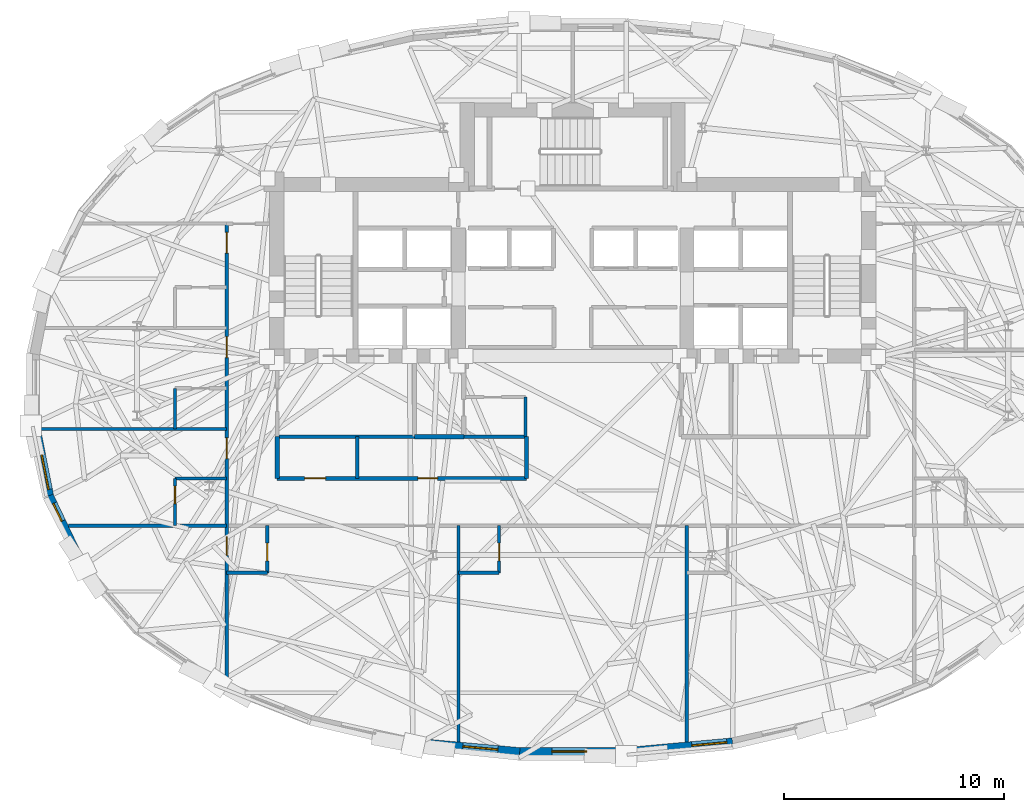
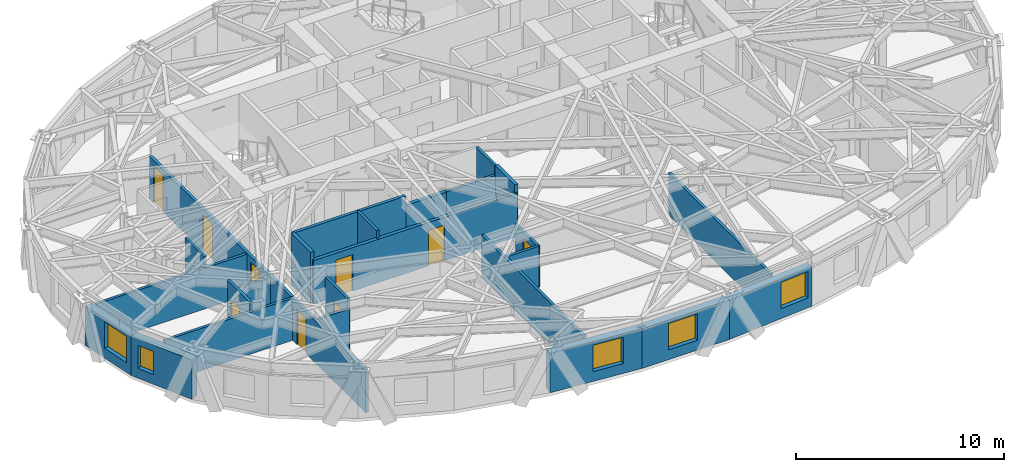
# One storey, part 6 of 14: 25 walls, 9 doors, 5 windows, 14 openings.
"""IFC4 building model written with IfcOpenShell, lengths in metres."""

import ifcopenshell
import ifcopenshell.guid

model = None  # the IFC model being written
_history = None  # IfcOwnerHistory: only IFC2X3 demands one
_inside = {}  # id of a spatial element -> (the spatial element, [elements in it])
_under = {}  # id of a project, library or spatial element -> (it, [spatial elements below it])
_declared = {}  # id of a project -> (the project, [libraries it declares])
_typed = {}  # id of a type object -> (the type object, [elements of that type])
_made_of = {}  # id of a material, layer set ... -> (it, [elements and type objects made of it])


def new_model(schema):
    """Start an empty IFC model of exactly this schema.

    Asked for "IFC4X3", IfcOpenShell would pick the latest addendum, in which some entities
    have other attributes; the version numbers below select the first issue.
    IFC2X3 requires an IfcOwnerHistory on every rooted entity: one is made here for all.
    """
    global model, _history
    if schema == "IFC4X3":
        model = ifcopenshell.file(schema_version=(4, 3, 0, 0))
    else:
        model = ifcopenshell.file(schema=schema)
    _inside.clear()
    _under.clear()
    _declared.clear()
    _typed.clear()
    _made_of.clear()
    _history = None
    if model.schema == "IFC2X3":
        org = make("IfcOrganization", Name="unknown")
        user = make(
            "IfcPersonAndOrganization",
            ThePerson=make("IfcPerson", FamilyName="unknown"),
            TheOrganization=org,
        )
        app = make(
            "IfcApplication",
            ApplicationDeveloper=org,
            Version="unknown",
            ApplicationFullName="unknown",
            ApplicationIdentifier="unknown",
        )
        _history = make(
            "IfcOwnerHistory",
            OwningUser=user,
            OwningApplication=app,
            ChangeAction="ADDED",
            CreationDate=0,
        )
    return model


def make(cls, **values):
    """One entity of the class cls with the attributes given. An attribute that is None is left unset."""
    return model.create_entity(
        cls, **{name: value for name, value in values.items() if value is not None}
    )


def rooted(cls, **values):
    """An entity with a GlobalId (a new one), such as an element, a storey or a relation."""
    return make(cls, GlobalId=ifcopenshell.guid.new(), OwnerHistory=_history, **values)


def si_unit(unit_type, name, prefix=None):
    """IfcSIUnit, for example si_unit("LENGTHUNIT", "METRE", prefix="MILLI")."""
    return make("IfcSIUnit", UnitType=unit_type, Prefix=prefix, Name=name)


def assignment(units):
    """IfcUnitAssignment: the units of a project."""
    return None if units is None else make("IfcUnitAssignment", Units=units)


def point(xyz):
    """IfcCartesianPoint."""
    return None if xyz is None else make("IfcCartesianPoint", Coordinates=xyz)


def direction(xyz):
    """IfcDirection."""
    return None if xyz is None else make("IfcDirection", DirectionRatios=xyz)


def frame(location, z_axis=None, x_axis=None):
    """IfcAxis2Placement3D, a coordinate frame: its origin and axes. An axis left out is left unset."""
    return make(
        "IfcAxis2Placement3D",
        Location=point(location),
        Axis=direction(z_axis),
        RefDirection=direction(x_axis),
    )


def frame_2d(location, x_axis=None):
    """IfcAxis2Placement2D, a coordinate frame in the plane: its origin and x axis."""
    return make(
        "IfcAxis2Placement2D", Location=point(location), RefDirection=direction(x_axis)
    )


def origin():
    """The frame at (0, 0, 0) with its axes left unset."""
    return frame((0.0, 0.0, 0.0))


def place(relative_to, where):
    """IfcLocalPlacement: puts the frame where relative to a parent placement (None: the world)."""
    return make(
        "IfcLocalPlacement", PlacementRelTo=relative_to, RelativePlacement=where
    )


def context(
    kind, dimensions, precision=None, world=None, true_north=None, identifier=None
):
    """IfcGeometricRepresentationContext, for example the 3D "Model" context."""
    return make(
        "IfcGeometricRepresentationContext",
        ContextIdentifier=identifier,
        ContextType=kind,
        CoordinateSpaceDimension=dimensions,
        Precision=precision,
        WorldCoordinateSystem=world,
        TrueNorth=true_north,
    )


def subcontext(parent, identifier, kind, view, scale=None):
    """IfcGeometricRepresentationSubContext, for example "Body" below "Model"."""
    return make(
        "IfcGeometricRepresentationSubContext",
        ContextIdentifier=identifier,
        ContextType=kind,
        ParentContext=parent,
        TargetScale=scale,
        TargetView=view,
    )


def project(units=None, contexts=None):
    """IfcProject with its units and contexts."""
    return rooted(
        "IfcProject",
        Name="project",
        RepresentationContexts=contexts,
        UnitsInContext=assignment(units),
    )


def spatial(cls, under=None, at=None, **own):
    """A site, building, storey or space (cls), placed at a placement, below another one or the project."""
    s = rooted(cls, ObjectPlacement=at, **own)
    if under is not None:
        _under.setdefault(under.id(), (under, []))[1].append(s)
    return s


def profile(cls, at=None, kind="AREA", **sizes):
    """A parametric profile (cls). Its sizes go by their IFC names, for example OverallWidth=200.0."""
    return make(cls, ProfileType=kind, Position=at, **sizes)


def rectangle(**sizes):
    """IfcRectangleProfileDef."""
    return profile("IfcRectangleProfileDef", **sizes)


def extrude(swept, where, along, depth):
    """IfcExtrudedAreaSolid: the profile swept, set in the frame where, extruded along a direction by depth."""
    return make(
        "IfcExtrudedAreaSolid",
        SweptArea=swept,
        Position=where,
        ExtrudedDirection=direction(along),
        Depth=depth,
    )


def shape(context_of_items, identifier, shape_type, items):
    """IfcShapeRepresentation: the items that make up one representation, for example the "Body"."""
    return make(
        "IfcShapeRepresentation",
        ContextOfItems=context_of_items,
        RepresentationIdentifier=identifier,
        RepresentationType=shape_type,
        Items=items,
    )


def material(Name=None, Category=None):
    """IfcMaterial."""
    return make("IfcMaterial", Name=Name, Category=Category)


def layer(
    of_material, thickness, ventilated=None, Name=None, Category=None, Priority=None
):
    """IfcMaterialLayer: one layer of a wall or slab, of a material (None: an air gap)."""
    return make(
        "IfcMaterialLayer",
        Material=of_material,
        LayerThickness=thickness,
        IsVentilated=ventilated,
        Name=Name,
        Category=Category,
        Priority=Priority,
    )


def layer_set(layers, Name=None):
    """IfcMaterialLayerSet."""
    return make("IfcMaterialLayerSet", MaterialLayers=layers, LayerSetName=Name)


def made_of(thing, what):
    """Note that an element or type object is made of a material, layer set ...; save() writes the relation."""
    if what is not None:
        _made_of.setdefault(what.id(), (what, []))[1].append(thing)
    return thing


def type_object(cls, material=None, **own):
    """A type object (cls), such as IfcWallType, which elements share."""
    return made_of(rooted(cls, **own), material)


def element(
    cls,
    number,
    at=None,
    inside=None,
    cuts=None,
    type_object=None,
    material=None,
    context=None,
    identifier="Body",
    shape_type=None,
    held_by="IfcProductDefinitionShape",
    body=None,
    shapes=None,
    **own,
):
    """One element of the class cls, such as IfcWall. Its Tag is "e" and its number.

    at: its placement. inside: the storey or other place that contains it. cuts: it is an
    opening in that element (IfcRelVoidsElement). A single representation is given by context,
    identifier, shape_type and body (its items); several are given by shapes. held_by: the class
    of the entity that holds the representations. save() writes the other relations.
    """
    e = rooted(cls, Tag="e%d" % number, ObjectPlacement=at, **own)
    if body is not None:
        shapes = [shape(context, identifier, shape_type, body)]
    if shapes is not None:
        e.Representation = make(held_by, Representations=shapes)
    if inside is not None:
        _inside.setdefault(inside.id(), (inside, []))[1].append(e)
    if cuts is not None:
        rooted(
            "IfcRelVoidsElement", RelatingBuildingElement=cuts, RelatedOpeningElement=e
        )
    if type_object is not None:
        _typed.setdefault(type_object.id(), (type_object, []))[1].append(e)
    return made_of(e, material)


def fill(opening, filler):
    """IfcRelFillsElement: the door or window that sits in an opening."""
    return rooted(
        "IfcRelFillsElement",
        RelatingOpeningElement=opening,
        RelatedBuildingElement=filler,
    )


def aggregate(whole, parts):
    """IfcRelAggregates: a whole, such as a stair, and the parts it consists of."""
    return rooted("IfcRelAggregates", RelatingObject=whole, RelatedObjects=parts)


def save(model, path):
    """Write the relations noted so far, then the file.

    IfcRelAggregates (storeys below a building ...), IfcRelContainedInSpatialStructure (elements
    in a storey), IfcRelDefinesByType, IfcRelAssociatesMaterial and IfcRelDeclares: one each for
    every whole, place, type object, material and project.
    """
    for whole, parts in _under.values():
        aggregate(whole, parts)
    for where, things in _inside.values():
        rooted(
            "IfcRelContainedInSpatialStructure",
            RelatedElements=things,
            RelatingStructure=where,
        )
    for kind, things in _typed.values():
        rooted("IfcRelDefinesByType", RelatedObjects=things, RelatingType=kind)
    for what, things in _made_of.values():
        rooted("IfcRelAssociatesMaterial", RelatedObjects=things, RelatingMaterial=what)
    for by, libraries in _declared.values():
        rooted("IfcRelDeclares", RelatingContext=by, RelatedDefinitions=libraries)
    model.write(path)


model = new_model("IFC4")

# Units and contexts
model_context = context("Model", 3, precision=1e-05, world=origin(), true_north=direction((0.0, 1.0)))
body_context = subcontext(model_context, "Body", "Model", "MODEL_VIEW")
ifc_project = project(units=[si_unit("LENGTHUNIT", "METRE"), si_unit("AREAUNIT", "SQUARE_METRE"), si_unit("VOLUMEUNIT", "CUBIC_METRE"), si_unit("PLANEANGLEUNIT", "RADIAN"), si_unit("MASSUNIT", "GRAM", prefix="KILO")], contexts=[model_context])

# Site, building, storey
site_placement = place(None, origin())
site = spatial("IfcSite", under=ifc_project, at=site_placement, CompositionType="ELEMENT")
building_placement = place(site_placement, origin())
building = spatial("IfcBuilding", under=site, at=building_placement, Name="Keldmark Tower", CompositionType="ELEMENT")
storey_placement = place(building_placement, frame((0.0, 0.0, 153.39990234375)))
storey = spatial("IfcBuildingStorey", under=building, at=storey_placement, Name="L41", CompositionType="ELEMENT", Elevation=153.39990234375)

# Wall, openings, doors
ifc_material_1 = material(Name="Heavy Acoustic Plumbing Chase Gypsum Assembly", Category="gypsum")
ifc_layer_1 = layer(ifc_material_1, 0.18994140625)
ifc_layer_set_1 = layer_set([ifc_layer_1], Name="Heavy Acoustic Plumbing Chase Gypsum Assembly")
wall_type_1 = type_object("IfcWallType", Name="Heavy Wet Wall 190 mm", PredefinedType="PLUMBINGWALL", material=ifc_layer_set_1)
wall_1_placement = place(storey_placement, frame((-13.449951171875, -4.050048828125, 0.0), z_axis=(0.0, 0.0, 1.0), x_axis=(1.0, 0.0, 0.0)))
wall_1 = element("IfcWall", 1, at=wall_1_placement, inside=storey, type_object=wall_type_1, Name="L41 Heavy Wet Wall 190 mm SPK-W-S", PredefinedType="PLUMBINGWALL", context=body_context, shape_type="SweptSolid", body=[
    extrude(rectangle(XDim=11.349853515625, YDim=0.18994140625, at=frame_2d((5.6748046875, 0.0))), origin(), (0.0, 0.0, 1.0), 2.55517578125),
])
opening_1_placement = place(wall_1_placement, frame((1.25, 0.0, 0.0)))
opening_1 = element("IfcOpeningElement", 2, at=opening_1_placement, cuts=wall_1, Name="Opening D-AWC95", PredefinedType="OPENING", context=body_context, shape_type="SweptSolid", body=[
    extrude(rectangle(XDim=0.949951171875, YDim=2.14990234375, at=frame_2d((0.47509765625, 1.074951171875))), frame((0.0, 0.10498046875, 0.0), z_axis=(0.0, -1.0, 0.0), x_axis=(1.0, 0.0, 0.0)), (0.0, 0.0, 1.0), 0.2099609375),
])
opening_2_placement = place(wall_1_placement, frame((6.39990234375, 0.0, 0.0)))
opening_2 = element("IfcOpeningElement", 3, at=opening_2_placement, cuts=wall_1, Name="Opening D-IN090", PredefinedType="OPENING", context=body_context, shape_type="SweptSolid", body=[
    extrude(rectangle(XDim=0.89990234375, YDim=2.10009765625, at=frame_2d((0.449951171875, 1.050048828125))), frame((0.0, 0.10498046875, 0.0), z_axis=(0.0, -1.0, 0.0), x_axis=(1.0, 0.0, 0.0)), (0.0, 0.0, 1.0), 0.2099609375),
])
ifc_material_2 = material(Name="Painted Solid-Core Architectural Wood", Category="wood")
door_type_1 = type_object("IfcDoorType", Name="Accessible WC Door 950x2150", OperationType="NOTDEFINED", PredefinedType="DOOR", material=ifc_material_2)
door_1_placement = place(opening_1_placement, origin())
door_1 = element("IfcDoor", 4, at=door_1_placement, inside=storey, type_object=door_type_1, Name="L41 Accessible WC Door 950x2150 D-SPKW1-L41", OperationType="SINGLE_SWING_LEFT", OverallHeight=2.14990234375, OverallWidth=0.949951171875, PredefinedType="DOOR", context=body_context, shape_type="SweptSolid", body=[
    extrude(rectangle(XDim=0.949951171875, YDim=2.14990234375, at=frame_2d((0.47509765625, 1.074951171875))), frame((0.0, 0.02490234375, 0.0), z_axis=(0.0, -1.0, 0.0), x_axis=(1.0, 0.0, 0.0)), (0.0, 0.0, 1.0), 0.050048828125),
])
fill(opening_1, door_1)
ifc_material_3 = material(Name="Stained American White Oak Veneer", Category="wood")
door_type_2 = type_object("IfcDoorType", Name="Interior Door 900x2100", OperationType="NOTDEFINED", PredefinedType="DOOR", material=ifc_material_3)
door_2_placement = place(opening_2_placement, origin())
door_2 = element("IfcDoor", 5, at=door_2_placement, inside=storey, type_object=door_type_2, Name="L41 Interior Door 900x2100 D-SPKW2-L41", OperationType="SINGLE_SWING_RIGHT", OverallHeight=2.10009765625, OverallWidth=0.89990234375, PredefinedType="DOOR", context=body_context, shape_type="SweptSolid", body=[
    extrude(rectangle(XDim=0.89990234375, YDim=2.10009765625, at=frame_2d((0.449951171875, 1.050048828125))), frame((0.0, 0.02490234375, 0.0), z_axis=(0.0, -1.0, 0.0), x_axis=(1.0, 0.0, 0.0)), (0.0, 0.0, 1.0), 0.050048828125),
])
fill(opening_2, door_2)

# Walls
for number, where, z_axis, x_axis, name in (
    (6, (-13.449951171875, -4.050048828125, 0.0), (0.0, 0.0, 1.0), (0.0, 1.0, 0.0), "L41 Heavy Wet Wall 190 mm SPK-W-W"),
    (7, (-2.10009765625, -4.050048828125, 0.0), (0.0, 0.0, 1.0), (0.0, 1.0, 0.0), "L41 Heavy Wet Wall 190 mm SPK-W-E"),
):
    element("IfcWall", number, at=place(storey_placement, frame(where, z_axis=z_axis, x_axis=x_axis)), inside=storey, type_object=wall_type_1, Name=name, PredefinedType="PLUMBINGWALL", context=body_context, shape_type="SweptSolid", body=[
        extrude(rectangle(XDim=1.900146484375, YDim=0.18994140625, at=frame_2d((0.9501953125, 0.0))), origin(), (0.0, 0.0, 1.0), 3.02001953125),
    ])
ifc_material_4 = material(Name="Acoustic Gypsum Board Interior Partition", Category="gypsum")
ifc_layer_2 = layer(ifc_material_4, 0.1298828125)
ifc_layer_set_2 = layer_set([ifc_layer_2], Name="Acoustic Gypsum Board Interior Partition")
wall_type_2 = type_object("IfcWallType", Name="Interior Partition 130 mm", PredefinedType="PARTITIONING", material=ifc_layer_set_2)
wall_2_placement = place(storey_placement, frame((-2.14990234375, -2.14990234375, 0.0), z_axis=(0.0, 0.0, 1.0), x_axis=(0.0, 1.0, 0.0)))
element("IfcWall", 8, at=wall_2_placement, inside=storey, type_object=wall_type_2, Name="L41 Interior Partition 130 mm CSC-W-E", PredefinedType="PARTITIONING", context=body_context, shape_type="SweptSolid", body=[
    extrude(rectangle(XDim=1.7998046875, YDim=0.1298828125, at=frame_2d((0.89990234375, 0.0))), origin(), (0.0, 0.0, 1.0), 3.02001953125),
])
ifc_material_5 = material(Name="Type X Fire-Rated Gypsum Partition Assembly", Category="gypsum")
ifc_layer_3 = layer(ifc_material_5, 0.1650390625)
ifc_layer_set_3 = layer_set([ifc_layer_3], Name="Type X Fire-Rated Gypsum Partition Assembly")
wall_type_3 = type_object("IfcWallType", Name="Rated Partition 165 mm", PredefinedType="PARTITIONING", material=ifc_layer_set_3)
wall_3_placement = place(storey_placement, frame((-13.449951171875, -2.14990234375, 0.0), z_axis=(0.0, 0.0, 1.0), x_axis=(1.0, 0.0, 0.0)))
element("IfcWall", 9, at=wall_3_placement, inside=storey, type_object=wall_type_3, Name="L41 Rated Partition 165 mm FSAE-W-S", PredefinedType="PARTITIONING", context=body_context, shape_type="SweptSolid", body=[
    extrude(rectangle(XDim=6.25, YDim=0.1650390625, at=frame_2d((3.125, 0.0))), origin(), (0.0, 0.0, 1.0), 3.02001953125),
])

# Wall, openings, doors
wall_4_placement = place(storey_placement, frame((-15.75, -13.312255859375, 0.0), z_axis=(0.0, 0.0, 1.0), x_axis=(0.0, 1.0, 0.0)))
wall_4 = element("IfcWall", 10, at=wall_4_placement, inside=storey, type_object=wall_type_3, Name="L41 Rated Partition 165 mm HCOR-W", PredefinedType="PARTITIONING", context=body_context, shape_type="SweptSolid", body=[
    extrude(rectangle(XDim=20.8623046875, YDim=0.1650390625, at=frame_2d((10.43115234375, 0.0))), origin(), (0.0, 0.0, 1.0), 2.47314453125),
])
opening_3_placement = place(wall_4_placement, frame((5.761962890625, 0.0, 0.0)))
opening_3 = element("IfcOpeningElement", 11, at=opening_3_placement, cuts=wall_4, Name="Opening D-IN085", PredefinedType="OPENING", context=body_context, shape_type="SweptSolid", body=[
    extrude(rectangle(XDim=0.85009765625, YDim=2.10009765625, at=frame_2d((0.425048828125, 1.050048828125))), frame((0.0, 0.092529296875, 0.0), z_axis=(0.0, -1.0, 0.0), x_axis=(1.0, 0.0, 0.0)), (0.0, 0.0, 1.0), 0.18505859375),
])
opening_4_placement = place(wall_4_placement, frame((10.161865234375, 0.0, 0.0)))
opening_4 = element("IfcOpeningElement", 12, at=opening_4_placement, cuts=wall_4, Name="Opening D-HT095", PredefinedType="OPENING", context=body_context, shape_type="SweptSolid", body=[
    extrude(rectangle(XDim=0.949951171875, YDim=2.14990234375, at=frame_2d((0.47509765625, 1.074951171875))), frame((0.0, 0.092529296875, 0.0), z_axis=(0.0, -1.0, 0.0), x_axis=(1.0, 0.0, 0.0)), (0.0, 0.0, 1.0), 0.18505859375),
])
opening_5_placement = place(wall_4_placement, frame((14.761962890625, 0.0, 0.0)))
opening_5 = element("IfcOpeningElement", 13, at=opening_5_placement, cuts=wall_4, Name="Opening D-HT095", PredefinedType="OPENING", context=body_context, shape_type="SweptSolid", body=[
    extrude(rectangle(XDim=0.949951171875, YDim=2.14990234375, at=frame_2d((0.47509765625, 1.074951171875))), frame((0.0, 0.092529296875, 0.0), z_axis=(0.0, -1.0, 0.0), x_axis=(1.0, 0.0, 0.0)), (0.0, 0.0, 1.0), 0.18505859375),
])
opening_6_placement = place(wall_4_placement, frame((19.511962890625, 0.0, 0.0)))
opening_6 = element("IfcOpeningElement", 14, at=opening_6_placement, cuts=wall_4, Name="Opening D-HT095", PredefinedType="OPENING", context=body_context, shape_type="SweptSolid", body=[
    extrude(rectangle(XDim=0.949951171875, YDim=2.14990234375, at=frame_2d((0.47509765625, 1.074951171875))), frame((0.0, 0.092529296875, 0.0), z_axis=(0.0, -1.0, 0.0), x_axis=(1.0, 0.0, 0.0)), (0.0, 0.0, 1.0), 0.18505859375),
])
ifc_material_6 = material(Name="Solid-Core Acoustic White Oak Fire-Rated Assembly", Category="wood")
door_type_3 = type_object("IfcDoorType", Name="Hotel Entry Door 950x2150", OperationType="NOTDEFINED", PredefinedType="DOOR", material=ifc_material_6)
door_3_placement = place(opening_4_placement, origin())
door_3 = element("IfcDoor", 15, at=door_3_placement, inside=storey, type_object=door_type_3, Name="L41 Hotel Entry Door 950x2150 D-HR-4-L41", OperationType="SINGLE_SWING_RIGHT", OverallHeight=2.14990234375, OverallWidth=0.949951171875, PredefinedType="DOOR", context=body_context, shape_type="SweptSolid", body=[
    extrude(rectangle(XDim=0.949951171875, YDim=2.14990234375, at=frame_2d((0.47509765625, 1.074951171875))), frame((0.0, 0.02490234375, 0.0), z_axis=(0.0, -1.0, 0.0), x_axis=(1.0, 0.0, 0.0)), (0.0, 0.0, 1.0), 0.050048828125),
])
fill(opening_4, door_3)
door_4_placement = place(opening_5_placement, origin())
door_4 = element("IfcDoor", 16, at=door_4_placement, inside=storey, type_object=door_type_3, Name="L41 Hotel Entry Door 950x2150 D-HR-5-L41", OperationType="SINGLE_SWING_RIGHT", OverallHeight=2.14990234375, OverallWidth=0.949951171875, PredefinedType="DOOR", context=body_context, shape_type="SweptSolid", body=[
    extrude(rectangle(XDim=0.949951171875, YDim=2.14990234375, at=frame_2d((0.47509765625, 1.074951171875))), frame((0.0, 0.02490234375, 0.0), z_axis=(0.0, -1.0, 0.0), x_axis=(1.0, 0.0, 0.0)), (0.0, 0.0, 1.0), 0.050048828125),
])
fill(opening_5, door_4)
door_5_placement = place(opening_6_placement, origin())
door_5 = element("IfcDoor", 17, at=door_5_placement, inside=storey, type_object=door_type_3, Name="L41 Hotel Entry Door 950x2150 D-HR-6-L41", OperationType="SINGLE_SWING_RIGHT", OverallHeight=2.14990234375, OverallWidth=0.949951171875, PredefinedType="DOOR", context=body_context, shape_type="SweptSolid", body=[
    extrude(rectangle(XDim=0.949951171875, YDim=2.14990234375, at=frame_2d((0.47509765625, 1.074951171875))), frame((0.0, 0.02490234375, 0.0), z_axis=(0.0, -1.0, 0.0), x_axis=(1.0, 0.0, 0.0)), (0.0, 0.0, 1.0), 0.050048828125),
])
fill(opening_6, door_5)
ifc_material_7 = material(Name="Painted Architectural Wood", Category="wood")
door_type_4 = type_object("IfcDoorType", Name="Interior Door 850x2100", OperationType="NOTDEFINED", PredefinedType="DOOR", material=ifc_material_7)
door_6_placement = place(opening_3_placement, origin())
door_6 = element("IfcDoor", 18, at=door_6_placement, inside=storey, type_object=door_type_4, Name="L41 Interior Door 850x2100 D-HKSW-L41", OperationType="SINGLE_SWING_LEFT", OverallHeight=2.10009765625, OverallWidth=0.85009765625, PredefinedType="DOOR", context=body_context, shape_type="SweptSolid", body=[
    extrude(rectangle(XDim=0.85009765625, YDim=2.10009765625, at=frame_2d((0.425048828125, 1.050048828125))), frame((0.0, 0.02490234375, 0.0), z_axis=(0.0, -1.0, 0.0), x_axis=(1.0, 0.0, 0.0)), (0.0, 0.0, 1.0), 0.050048828125),
])
fill(opening_3, door_6)

# Wall
ifc_material_8 = material(Name="Fire-Resistant Type X Gypsum Shaftliner Coreboard", Category="gypsum")
ifc_layer_4 = layer(ifc_material_8, 0.199951171875)
ifc_layer_set_4 = layer_set([ifc_layer_4], Name="Fire-Resistant Type X Gypsum Shaftliner Coreboard")
wall_type_4 = type_object("IfcWallType", Name="Shaft Wall 200 mm", PredefinedType="SOLIDWALL", material=ifc_layer_set_4)
wall_5_placement = place(storey_placement, frame((-7.199951171875, -2.14990234375, 0.0), z_axis=(0.0, 0.0, 1.0), x_axis=(1.0, 0.0, 0.0)))
element("IfcWall", 19, at=wall_5_placement, inside=storey, type_object=wall_type_4, Name="L41 Shaft Wall 200 mm RIS-SW-S", PredefinedType="SOLIDWALL", context=body_context, shape_type="SweptSolid", body=[
    extrude(rectangle(XDim=2.25, YDim=0.199951171875, at=frame_2d((1.125, 0.0))), origin(), (0.0, 0.0, 1.0), 2.47314453125),
])

# Wall, opening, window
ifc_material_9 = material(Name="Ironspot Manganese Brick and Kasota Buff Limestone Spandrel Assembly", Category="masonry")
ifc_layer_5 = layer(ifc_material_9, 0.43994140625)
ifc_layer_set_5 = layer_set([ifc_layer_5], Name="Ironspot Manganese Brick and Kasota Buff Limestone Spandrel Assembly")
wall_type_5 = type_object("IfcWallType", Name="Tower Brick Pier and Spandrel Wall 440 mm", PredefinedType="STANDARD", material=ifc_layer_set_5)
wall_6_placement = place(storey_placement, frame((-23.832275390625, -4.902099609375, 0.0), z_axis=(0.0, 0.0, 1.0), x_axis=(-0.193669845908, 0.981066761635, 0.0)))
wall_6 = element("IfcWall", 20, at=wall_6_placement, inside=storey, type_object=wall_type_5, Name="L41 Exterior Brick and Spandrel Wall 17", PredefinedType="STANDARD", context=body_context, shape_type="SweptSolid", body=[
    extrude(rectangle(XDim=3.359619140625, YDim=0.43994140625, at=frame_2d((1.6796875, 0.0))), origin(), (0.0, 0.0, 1.0), 2.315185546875),
])
opening_7_placement = place(wall_6_placement, frame((0.345703125, 0.0, 0.580078125)))
opening_7 = element("IfcOpeningElement", 21, at=opening_7_placement, cuts=wall_6, Name="Opening W-04", PredefinedType="OPENING", context=body_context, shape_type="SweptSolid", body=[
    extrude(rectangle(XDim=1.60009765625, YDim=1.550048828125, at=frame_2d((0.800048828125, 0.77490234375))), frame((0.0, 0.22998046875, 0.0), z_axis=(0.0, -1.0, 0.0), x_axis=(1.0, 0.0, 0.0)), (0.0, 0.0, 1.0), 0.4599609375),
])
ifc_material_10 = material(Name="Thermally Broken Anodized Aluminum and Triple Low-E Argon Glazing", Category="aluminium")
window_type_1 = type_object("IfcWindowType", Name="Hotel Deep-Set Operable Window 1600x1550", PartitioningType="DOUBLE_PANEL_HORIZONTAL", PredefinedType="WINDOW", material=ifc_material_10)
window_1_placement = place(opening_7_placement, origin())
window_1 = element("IfcWindow", 22, at=window_1_placement, inside=storey, type_object=window_type_1, Name="L41 Deep-Set Window 17", OverallHeight=1.550048828125, OverallWidth=1.60009765625, PartitioningType="SINGLE_PANEL", PredefinedType="WINDOW", context=body_context, shape_type="SweptSolid", body=[
    extrude(rectangle(XDim=1.60009765625, YDim=1.550048828125, at=frame_2d((0.800048828125, 0.77490234375))), frame((0.0, -0.010009765625, 0.0), z_axis=(0.0, -1.0, 0.0), x_axis=(1.0, 0.0, 0.0)), (0.0, 0.0, 1.0), 0.06005859375),
])
fill(opening_7, window_1)

wall_7_placement = place(storey_placement, frame((-22.315673828125, -8.0625, 0.0), z_axis=(0.0, 0.0, 1.0), x_axis=(-0.430899691529, 0.902399831472, 0.0)))
wall_7 = element("IfcWall", 23, at=wall_7_placement, inside=storey, type_object=wall_type_5, Name="L41 Exterior Brick and Spandrel Wall 18", PredefinedType="STANDARD", context=body_context, shape_type="SweptSolid", body=[
    extrude(rectangle(XDim=3.559814453125, YDim=0.43994140625, at=frame_2d((1.77978515625, 0.0))), origin(), (0.0, 0.0, 1.0), 2.315185546875),
])
opening_8_placement = place(wall_7_placement, frame((2.26318359375, 0.0, 0.580078125)))
opening_8 = element("IfcOpeningElement", 24, at=opening_8_placement, cuts=wall_7, Name="Opening W-09", PredefinedType="OPENING", context=body_context, shape_type="SweptSolid", body=[
    extrude(rectangle(XDim=0.89990234375, YDim=1.35009765625, at=frame_2d((0.449951171875, 0.675048828125))), frame((0.0, 0.22998046875, 0.0), z_axis=(0.0, -1.0, 0.0), x_axis=(1.0, 0.0, 0.0)), (0.0, 0.0, 1.0), 0.4599609375),
])
ifc_material_11 = material(Name="Thermally Broken Anodized Aluminum and Triple Low-E Argon Glazing", Category="aluminium")
window_type_2 = type_object("IfcWindowType", Name="Corner Pier Deep-Set Window 900x1350", PartitioningType="SINGLE_PANEL", PredefinedType="WINDOW", material=ifc_material_11)
window_2_placement = place(opening_8_placement, origin())
window_2 = element("IfcWindow", 25, at=window_2_placement, inside=storey, type_object=window_type_2, Name="L41 Deep-Set Window 18", OverallHeight=1.35009765625, OverallWidth=0.89990234375, PartitioningType="SINGLE_PANEL", PredefinedType="WINDOW", context=body_context, shape_type="SweptSolid", body=[
    extrude(rectangle(XDim=0.89990234375, YDim=1.35009765625, at=frame_2d((0.449951171875, 0.675048828125))), frame((0.0, -0.010009765625, 0.0), z_axis=(0.0, -1.0, 0.0), x_axis=(1.0, 0.0, 0.0)), (0.0, 0.0, 1.0), 0.06005859375),
])
fill(opening_8, window_2)

wall_8_placement = place(storey_placement, frame((-2.41259765625, -16.522705078125, 0.0), z_axis=(0.0, 0.0, 1.0), x_axis=(-0.995913675095, 0.090310308155, 0.0)))
wall_8 = element("IfcWall", 26, at=wall_8_placement, inside=storey, type_object=wall_type_5, Name="L41 Exterior Brick and Spandrel Wall 23", PredefinedType="STANDARD", context=body_context, shape_type="SweptSolid", body=[
    extrude(rectangle(XDim=4.88232421875, YDim=0.43994140625, at=frame_2d((2.441162109375, 0.0))), origin(), (0.0, 0.0, 1.0), 2.315185546875),
])
opening_9_placement = place(wall_8_placement, frame((0.9951171875, 0.0, 0.580078125)))
opening_9 = element("IfcOpeningElement", 27, at=opening_9_placement, cuts=wall_8, Name="Opening W-04", PredefinedType="OPENING", context=body_context, shape_type="SweptSolid", body=[
    extrude(rectangle(XDim=1.60009765625, YDim=1.550048828125, at=frame_2d((0.800048828125, 0.77490234375))), frame((0.0, 0.22998046875, 0.0), z_axis=(0.0, -1.0, 0.0), x_axis=(1.0, 0.0, 0.0)), (0.0, 0.0, 1.0), 0.4599609375),
])
window_3_placement = place(opening_9_placement, origin())
window_3 = element("IfcWindow", 28, at=window_3_placement, inside=storey, type_object=window_type_1, Name="L41 Deep-Set Window 23", OverallHeight=1.550048828125, OverallWidth=1.60009765625, PartitioningType="SINGLE_PANEL", PredefinedType="WINDOW", context=body_context, shape_type="SweptSolid", body=[
    extrude(rectangle(XDim=1.60009765625, YDim=1.550048828125, at=frame_2d((0.800048828125, 0.77490234375))), frame((0.0, -0.010009765625, 0.0), z_axis=(0.0, -1.0, 0.0), x_axis=(1.0, 0.0, 0.0)), (0.0, 0.0, 1.0), 0.06005859375),
])
fill(opening_9, window_3)

wall_9_placement = place(storey_placement, frame((2.4326171875, -16.52197265625, 0.0), z_axis=(0.0, 0.0, 1.0), x_axis=(-1.0, 0.0, 0.0)))
wall_9 = element("IfcWall", 29, at=wall_9_placement, inside=storey, type_object=wall_type_5, Name="L41 Exterior Brick and Spandrel Wall 24", PredefinedType="STANDARD", context=body_context, shape_type="SweptSolid", body=[
    extrude(rectangle(XDim=4.865234375, YDim=0.43994140625, at=frame_2d((2.4326171875, 0.0))), origin(), (0.0, 0.0, 1.0), 2.315185546875),
])
opening_10_placement = place(wall_9_placement, frame((1.78076171875, 0.0, 0.580078125)))
opening_10 = element("IfcOpeningElement", 30, at=opening_10_placement, cuts=wall_9, Name="Opening W-04", PredefinedType="OPENING", context=body_context, shape_type="SweptSolid", body=[
    extrude(rectangle(XDim=1.60009765625, YDim=1.550048828125, at=frame_2d((0.800048828125, 0.77490234375))), frame((0.0, 0.22998046875, 0.0), z_axis=(0.0, -1.0, 0.0), x_axis=(1.0, 0.0, 0.0)), (0.0, 0.0, 1.0), 0.4599609375),
])
window_4_placement = place(opening_10_placement, origin())
window_4 = element("IfcWindow", 31, at=window_4_placement, inside=storey, type_object=window_type_1, Name="L41 Deep-Set Window 24", OverallHeight=1.550048828125, OverallWidth=1.60009765625, PartitioningType="SINGLE_PANEL", PredefinedType="WINDOW", context=body_context, shape_type="SweptSolid", body=[
    extrude(rectangle(XDim=1.60009765625, YDim=1.550048828125, at=frame_2d((0.800048828125, 0.77490234375))), frame((0.0, -0.010009765625, 0.0), z_axis=(0.0, -1.0, 0.0), x_axis=(1.0, 0.0, 0.0)), (0.0, 0.0, 1.0), 0.06005859375),
])
fill(opening_10, window_4)

wall_10_placement = place(storey_placement, frame((7.27490234375, -16.081787109375, 0.0), z_axis=(0.0, 0.0, 1.0), x_axis=(-0.995913675095, -0.090310308155, 0.0)))
wall_10 = element("IfcWall", 32, at=wall_10_placement, inside=storey, type_object=wall_type_5, Name="L41 Exterior Brick and Spandrel Wall 25", PredefinedType="STANDARD", context=body_context, shape_type="SweptSolid", body=[
    extrude(rectangle(XDim=4.88232421875, YDim=0.43994140625, at=frame_2d((2.441162109375, 0.0))), origin(), (0.0, 0.0, 1.0), 2.315185546875),
])
opening_11_placement = place(wall_10_placement, frame((0.249755859375, 0.0, 0.580078125)))
opening_11 = element("IfcOpeningElement", 33, at=opening_11_placement, cuts=wall_10, Name="Opening W-04", PredefinedType="OPENING", context=body_context, shape_type="SweptSolid", body=[
    extrude(rectangle(XDim=1.60009765625, YDim=1.550048828125, at=frame_2d((0.800048828125, 0.77490234375))), frame((0.0, 0.22998046875, 0.0), z_axis=(0.0, -1.0, 0.0), x_axis=(1.0, 0.0, 0.0)), (0.0, 0.0, 1.0), 0.4599609375),
])
window_5_placement = place(opening_11_placement, origin())
window_5 = element("IfcWindow", 34, at=window_5_placement, inside=storey, type_object=window_type_1, Name="L41 Deep-Set Window 25", OverallHeight=1.550048828125, OverallWidth=1.60009765625, PartitioningType="SINGLE_PANEL", PredefinedType="WINDOW", context=body_context, shape_type="SweptSolid", body=[
    extrude(rectangle(XDim=1.60009765625, YDim=1.550048828125, at=frame_2d((0.800048828125, 0.77490234375))), frame((0.0, -0.010009765625, 0.0), z_axis=(0.0, -1.0, 0.0), x_axis=(1.0, 0.0, 0.0)), (0.0, 0.0, 1.0), 0.06005859375),
])
fill(opening_11, window_5)

# Walls
ifc_material_12 = material(Name="Moisture-Resistant Gypsum Plumbing Partition", Category="gypsum")
ifc_layer_6 = layer(ifc_material_12, 0.14990234375)
ifc_layer_set_6 = layer_set([ifc_layer_6], Name="Moisture-Resistant Gypsum Plumbing Partition")
wall_type_6 = type_object("IfcWallType", Name="Wet Wall 150 mm", PredefinedType="PLUMBINGWALL", material=ifc_layer_set_6)
wall_11_placement = place(storey_placement, frame((-4.949951171875, -2.14990234375, 0.0), z_axis=(0.0, 0.0, 1.0), x_axis=(1.0, 0.0, 0.0)))
element("IfcWall", 35, at=wall_11_placement, inside=storey, type_object=wall_type_6, Name="L41 Wet Wall 150 mm SPK-W-N", PredefinedType="PLUMBINGWALL", context=body_context, shape_type="SweptSolid", body=[
    extrude(rectangle(XDim=2.849853515625, YDim=0.14990234375, at=frame_2d((1.4248046875, 0.0))), origin(), (0.0, 0.0, 1.0), 2.47314453125),
])
wall_12_placement = place(storey_placement, frame((-9.800048828125, -4.050048828125, 0.0), z_axis=(0.0, 0.0, 1.0), x_axis=(0.0, 1.0, 0.0)))
element("IfcWall", 36, at=wall_12_placement, inside=storey, type_object=wall_type_6, Name="L41 Wet Wall 150 mm SPK-W-D1", PredefinedType="PLUMBINGWALL", context=body_context, shape_type="SweptSolid", body=[
    extrude(rectangle(XDim=1.900146484375, YDim=0.14990234375, at=frame_2d((0.9501953125, 0.0))), origin(), (0.0, 0.0, 1.0), 3.02001953125),
])
wall_13_placement = place(storey_placement, frame((-22.952392578125, -6.199951171875, 0.0), z_axis=(0.0, 0.0, 1.0), x_axis=(1.0, 0.0, 0.0)))
element("IfcWall", 37, at=wall_13_placement, inside=storey, type_object=wall_type_6, Name="L41 Wet Wall 150 mm HW-CAP-S", PredefinedType="PLUMBINGWALL", context=body_context, shape_type="SweptSolid", body=[
    extrude(rectangle(XDim=7.202392578125, YDim=0.14990234375, at=frame_2d((3.60107421875, 0.0))), origin(), (0.0, 0.0, 1.0), 2.47314453125),
])
for number, where, z_axis, x_axis, name in (
    (38, (-5.199951171875, -16.041015625, 0.0), (0.0, 0.0, 1.0), (0.0, 1.0, 0.0), "L41 Wet Wall 150 mm HS-DIV-1"),
    (39, (5.199951171875, -16.041015625, 0.0), (0.0, 0.0, 1.0), (0.0, 1.0, 0.0), "L41 Wet Wall 150 mm HS-DIV-2"),
):
    element("IfcWall", number, at=place(storey_placement, frame(where, z_axis=z_axis, x_axis=x_axis)), inside=storey, type_object=wall_type_6, Name=name, PredefinedType="PLUMBINGWALL", context=body_context, shape_type="SweptSolid", body=[
        extrude(rectangle(XDim=9.841064453125, YDim=0.14990234375, at=frame_2d((4.92041015625, 0.0))), origin(), (0.0, 0.0, 1.0), 2.47314453125),
    ])

# Wall, opening, door
wall_14_placement = place(storey_placement, frame((-13.89990234375, -8.35009765625, 0.0), z_axis=(0.0, 0.0, 1.0), x_axis=(0.0, 1.0, 0.0)))
wall_14 = element("IfcWall", 40, at=wall_14_placement, inside=storey, type_object=wall_type_6, Name="L41 Wet Wall 150 mm HB-S1-E", PredefinedType="PLUMBINGWALL", context=body_context, shape_type="SweptSolid", body=[
    extrude(rectangle(XDim=2.150146484375, YDim=0.14990234375, at=frame_2d((1.0751953125, 0.0))), origin(), (0.0, 0.0, 1.0), 3.02001953125),
])
opening_12_placement = place(wall_14_placement, frame((0.550048828125, 0.0, 0.0)))
opening_12 = element("IfcOpeningElement", 41, at=opening_12_placement, cuts=wall_14, Name="Opening D-BT080", PredefinedType="OPENING", context=body_context, shape_type="SweptSolid", body=[
    extrude(rectangle(XDim=0.800048828125, YDim=2.10009765625, at=frame_2d((0.39990234375, 1.050048828125))), frame((0.0, 0.0849609375, 0.0), z_axis=(0.0, -1.0, 0.0), x_axis=(1.0, 0.0, 0.0)), (0.0, 0.0, 1.0), 0.169921875),
])
ifc_material_13 = material(Name="Moisture-Sealed Stained Wood", Category="wood")
door_type_5 = type_object("IfcDoorType", Name="Bathroom Door 800x2100", OperationType="NOTDEFINED", PredefinedType="DOOR", material=ifc_material_13)
door_7_placement = place(opening_12_placement, origin())
door_7 = element("IfcDoor", 42, at=door_7_placement, inside=storey, type_object=door_type_5, Name="L41 Bathroom Door 800x2100 D-HBS1-L41", OperationType="SINGLE_SWING_RIGHT", OverallHeight=2.10009765625, OverallWidth=0.800048828125, PredefinedType="DOOR", context=body_context, shape_type="SweptSolid", body=[
    extrude(rectangle(XDim=0.800048828125, YDim=2.10009765625, at=frame_2d((0.39990234375, 1.050048828125))), frame((0.0, 0.02490234375, 0.0), z_axis=(0.0, -1.0, 0.0), x_axis=(1.0, 0.0, 0.0)), (0.0, 0.0, 1.0), 0.050048828125),
])
fill(opening_12, door_7)

# Wall
wall_15_placement = place(storey_placement, frame((-15.75, -8.35009765625, 0.0), z_axis=(0.0, 0.0, 1.0), x_axis=(1.0, 0.0, 0.0)))
element("IfcWall", 43, at=wall_15_placement, inside=storey, type_object=wall_type_6, Name="L41 Wet Wall 150 mm HB-S1-S", PredefinedType="PLUMBINGWALL", context=body_context, shape_type="SweptSolid", body=[
    extrude(rectangle(XDim=1.85009765625, YDim=0.14990234375, at=frame_2d((0.925048828125, 0.0))), origin(), (0.0, 0.0, 1.0), 2.47314453125),
])

# Wall, opening, door
wall_16_placement = place(storey_placement, frame((-3.35009765625, -8.35009765625, 0.0), z_axis=(0.0, 0.0, 1.0), x_axis=(0.0, 1.0, 0.0)))
wall_16 = element("IfcWall", 44, at=wall_16_placement, inside=storey, type_object=wall_type_6, Name="L41 Wet Wall 150 mm HB-S2-E", PredefinedType="PLUMBINGWALL", context=body_context, shape_type="SweptSolid", body=[
    extrude(rectangle(XDim=2.150146484375, YDim=0.14990234375, at=frame_2d((1.0751953125, 0.0))), origin(), (0.0, 0.0, 1.0), 2.47314453125),
])
opening_13_placement = place(wall_16_placement, frame((0.550048828125, 0.0, 0.0)))
opening_13 = element("IfcOpeningElement", 45, at=opening_13_placement, cuts=wall_16, Name="Opening D-BT080", PredefinedType="OPENING", context=body_context, shape_type="SweptSolid", body=[
    extrude(rectangle(XDim=0.800048828125, YDim=2.10009765625, at=frame_2d((0.39990234375, 1.050048828125))), frame((0.0, 0.0849609375, 0.0), z_axis=(0.0, -1.0, 0.0), x_axis=(1.0, 0.0, 0.0)), (0.0, 0.0, 1.0), 0.169921875),
])
door_8_placement = place(opening_13_placement, origin())
door_8 = element("IfcDoor", 46, at=door_8_placement, inside=storey, type_object=door_type_5, Name="L41 Bathroom Door 800x2100 D-HBS2-L41", OperationType="SINGLE_SWING_RIGHT", OverallHeight=2.10009765625, OverallWidth=0.800048828125, PredefinedType="DOOR", context=body_context, shape_type="SweptSolid", body=[
    extrude(rectangle(XDim=0.800048828125, YDim=2.10009765625, at=frame_2d((0.39990234375, 1.050048828125))), frame((0.0, 0.02490234375, 0.0), z_axis=(0.0, -1.0, 0.0), x_axis=(1.0, 0.0, 0.0)), (0.0, 0.0, 1.0), 0.050048828125),
])
fill(opening_13, door_8)

# Walls
wall_17_placement = place(storey_placement, frame((-5.199951171875, -8.35009765625, 0.0), z_axis=(0.0, 0.0, 1.0), x_axis=(1.0, 0.0, 0.0)))
element("IfcWall", 47, at=wall_17_placement, inside=storey, type_object=wall_type_6, Name="L41 Wet Wall 150 mm HB-S2-S", PredefinedType="PLUMBINGWALL", context=body_context, shape_type="SweptSolid", body=[
    extrude(rectangle(XDim=1.849853515625, YDim=0.14990234375, at=frame_2d((0.9248046875, 0.0))), origin(), (0.0, 0.0, 1.0), 2.47314453125),
])
wall_18_placement = place(storey_placement, frame((-24.21240234375, -1.800048828125, 0.0), z_axis=(0.0, 0.0, 1.0), x_axis=(1.0, 0.0, 0.0)))
element("IfcWall", 48, at=wall_18_placement, inside=storey, type_object=wall_type_6, Name="L41 Wet Wall 150 mm HW-DIV-1", PredefinedType="PLUMBINGWALL", context=body_context, shape_type="SweptSolid", body=[
    extrude(rectangle(XDim=8.46240234375, YDim=0.14990234375, at=frame_2d((4.231201171875, 0.0))), origin(), (0.0, 0.0, 1.0), 2.398193359375),
])
wall_19_placement = place(storey_placement, frame((-18.10009765625, -4.050048828125, 0.0), z_axis=(0.0, 0.0, 1.0), x_axis=(1.0, 0.0, 0.0)))
element("IfcWall", 49, at=wall_19_placement, inside=storey, type_object=wall_type_6, Name="L41 Wet Wall 150 mm HB-4-N", PredefinedType="PLUMBINGWALL", context=body_context, shape_type="SweptSolid", body=[
    extrude(rectangle(XDim=2.35009765625, YDim=0.14990234375, at=frame_2d((1.175048828125, 0.0))), origin(), (0.0, 0.0, 1.0), 2.398193359375),
])

# Wall, opening, door
wall_20_placement = place(storey_placement, frame((-18.10009765625, -6.199951171875, 0.0), z_axis=(0.0, 0.0, 1.0), x_axis=(0.0, 1.0, 0.0)))
wall_20 = element("IfcWall", 50, at=wall_20_placement, inside=storey, type_object=wall_type_6, Name="L41 Wet Wall 150 mm HB-4-IN", PredefinedType="PLUMBINGWALL", context=body_context, shape_type="SweptSolid", body=[
    extrude(rectangle(XDim=2.14990234375, YDim=0.14990234375, at=frame_2d((1.074951171875, 0.0))), origin(), (0.0, 0.0, 1.0), 3.02001953125),
])
opening_14_placement = place(wall_20_placement, frame((1.0, 0.0, 0.0)))
opening_14 = element("IfcOpeningElement", 51, at=opening_14_placement, cuts=wall_20, Name="Opening D-BT080", PredefinedType="OPENING", context=body_context, shape_type="SweptSolid", body=[
    extrude(rectangle(XDim=0.800048828125, YDim=2.10009765625, at=frame_2d((0.39990234375, 1.050048828125))), frame((0.0, 0.0849609375, 0.0), z_axis=(0.0, -1.0, 0.0), x_axis=(1.0, 0.0, 0.0)), (0.0, 0.0, 1.0), 0.169921875),
])
door_9_placement = place(opening_14_placement, origin())
door_9 = element("IfcDoor", 52, at=door_9_placement, inside=storey, type_object=door_type_5, Name="L41 Bathroom Door 800x2100 D-HB-4-L41", OperationType="SINGLE_SWING_LEFT", OverallHeight=2.10009765625, OverallWidth=0.800048828125, PredefinedType="DOOR", context=body_context, shape_type="SweptSolid", body=[
    extrude(rectangle(XDim=0.800048828125, YDim=2.10009765625, at=frame_2d((0.39990234375, 1.050048828125))), frame((0.0, 0.02490234375, 0.0), z_axis=(0.0, -1.0, 0.0), x_axis=(1.0, 0.0, 0.0)), (0.0, 0.0, 1.0), 0.050048828125),
])
fill(opening_14, door_9)

# Wall
wall_21_placement = place(storey_placement, frame((-18.10009765625, -1.800048828125, 0.0), z_axis=(0.0, 0.0, 1.0), x_axis=(0.0, 1.0, 0.0)))
element("IfcWall", 53, at=wall_21_placement, inside=storey, type_object=wall_type_6, Name="L41 Wet Wall 150 mm HB-5-IN", PredefinedType="PLUMBINGWALL", context=body_context, shape_type="SweptSolid", body=[
    extrude(rectangle(XDim=1.85009765625, YDim=0.14990234375, at=frame_2d((0.925048828125, 0.0))), origin(), (0.0, 0.0, 1.0), 3.02001953125),
])

save(model, "model.ifc")
